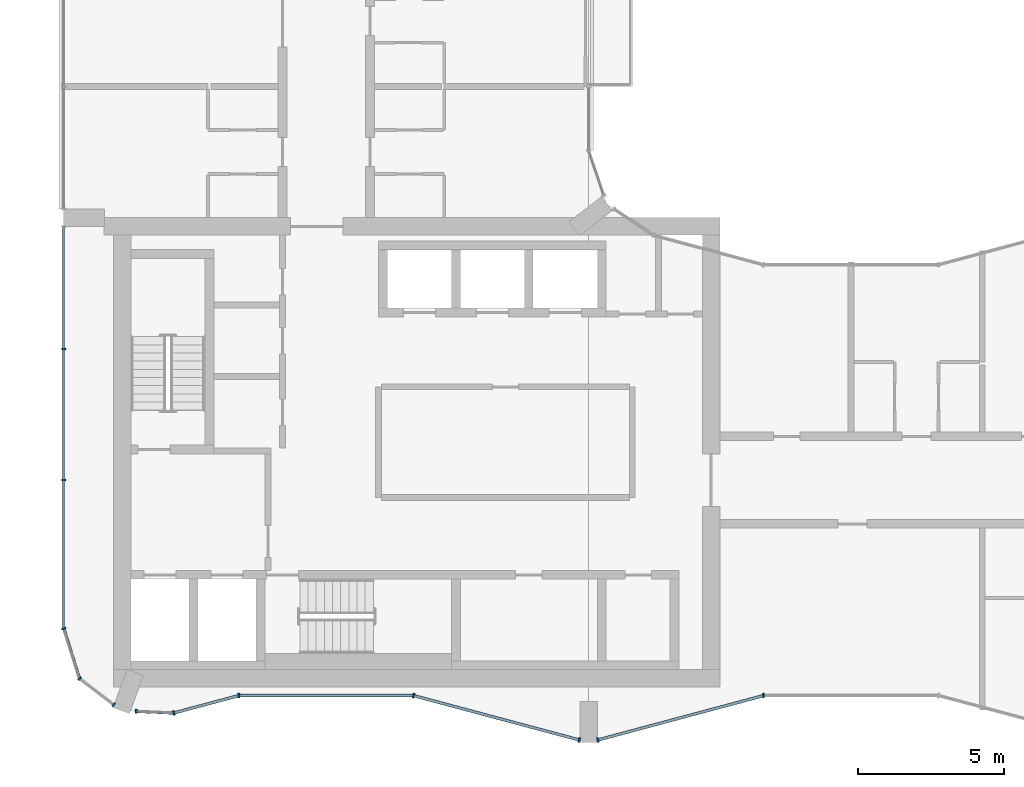
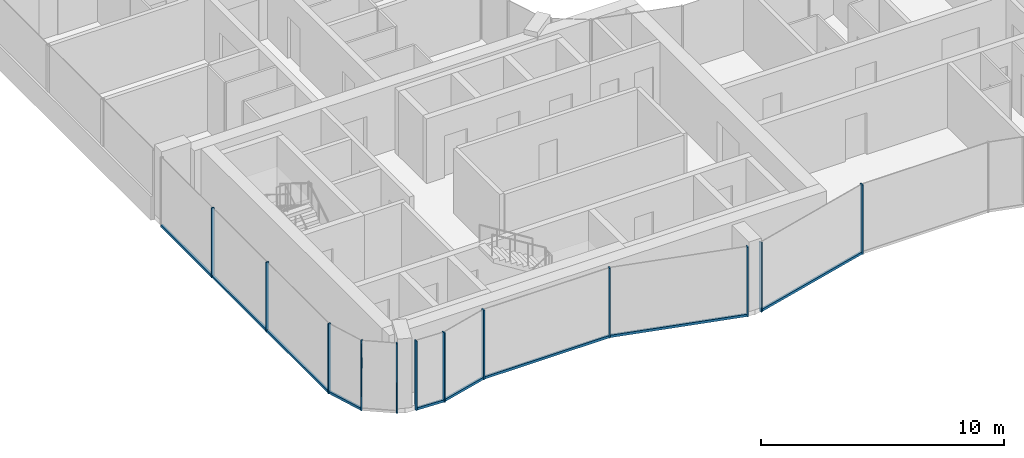
# One storey, part 2 of 15: 19 members, 9 elements without a shape of their own.
"""IFC4 building model written with IfcOpenShell, lengths in metres."""

from ifc_helpers import new_model, si_unit, direction, frame, origin, origin_2d, place, context, subcontext, project, spatial, rectangle, extrude, material, layer, layer_set, material_profile, profile_set, type_object, element, aggregate, save


model = new_model("IFC4")

# Units and contexts
model_context = context("Model", 3, precision=1e-05, world=origin(), true_north=direction((0.0, 1.0)))
body_context = subcontext(model_context, "Body", "Model", "MODEL_VIEW")
ifc_project = project(units=[si_unit("LENGTHUNIT", "METRE"), si_unit("AREAUNIT", "SQUARE_METRE"), si_unit("VOLUMEUNIT", "CUBIC_METRE"), si_unit("PLANEANGLEUNIT", "RADIAN"), si_unit("MASSUNIT", "GRAM", prefix="KILO")], contexts=[model_context])

# Site, building, storey
site_placement = place(None, origin())
site = spatial("IfcSite", under=ifc_project, at=site_placement, CompositionType="ELEMENT")
building_placement = place(site_placement, origin())
building = spatial("IfcBuilding", under=site, at=building_placement, Name="Plateau Cross Towers", CompositionType="ELEMENT")
storey_placement = place(building_placement, frame((0.0, 0.0, 170.89990234375)))
storey = spatial("IfcBuildingStorey", under=building, at=storey_placement, Name="L44", CompositionType="ELEMENT", Elevation=170.89990234375)

# Curtain wall, members
ifc_material_1 = material(Name="Dark low-iron glass", Category="glass")
ifc_layer_1 = layer(ifc_material_1, 0.239990234375)
ifc_layer_set_1 = layer_set([ifc_layer_1], Name="Dark low-iron glass")
curtain_wall_type_1 = type_object("IfcCurtainWallType", Name="Curtain wall flush unitised CW-B", PredefinedType="NOTDEFINED", material=ifc_layer_set_1)
curtain_wall_1_placement = place(storey_placement, origin())
curtain_wall_1 = element("IfcCurtainWall", 1, at=curtain_wall_1_placement, inside=storey, type_object=curtain_wall_type_1, Name="ENV/A/L44/A0_177", PredefinedType="NOTDEFINED")
ifc_material_2 = material(Name="Black anodised aluminium", Category="aluminium")
ifc_material_profile_1 = material_profile(ifc_material_2, rectangle(XDim=0.06005859375, YDim=0.139892578125, at=origin_2d()), Name="MULLION 60x140")
ifc_profile_set_1 = profile_set([ifc_material_profile_1], Name="Black anodised aluminium")
member_type_1 = type_object("IfcMemberType", Name="Mullion 60x140 flush unitised", PredefinedType="MULLION", material=ifc_profile_set_1)
member_1_placement = place(storey_placement, frame((0.0, 13.5, -0.25), z_axis=(0.0, 0.0, 1.0), x_axis=(0.0, -1.0, 0.0)))
member_1 = element("IfcMember", 2, at=member_1_placement, type_object=member_type_1, Name="CW-B mullion 2", PredefinedType="MULLION", context=body_context, shape_type="SweptSolid", body=[
    extrude(rectangle(XDim=0.06005859375, YDim=0.139892578125, at=origin_2d()), origin(), (0.0, 0.0, 1.0), 3.5),
])
member_2_placement = place(storey_placement, frame((0.0, 9.0, -0.25), z_axis=(0.0, 0.0, 1.0), x_axis=(0.0, -1.0, 0.0)))
member_2 = element("IfcMember", 3, at=member_2_placement, type_object=member_type_1, Name="CW-B mullion 3", PredefinedType="MULLION", context=body_context, shape_type="SweptSolid", body=[
    extrude(rectangle(XDim=0.06005859375, YDim=0.139892578125, at=origin_2d()), origin(), (0.0, 0.0, 1.0), 3.5),
])

# Curtain wall, member
curtain_wall_2_placement = place(storey_placement, origin())
curtain_wall_2 = element("IfcCurtainWall", 4, at=curtain_wall_2_placement, inside=storey, type_object=curtain_wall_type_1, Name="ENV/A/L44/A0_39", PredefinedType="NOTDEFINED")
member_3_placement = place(storey_placement, frame((0.0, 3.9091796875, -0.25), z_axis=(0.0, 0.0, 1.0), x_axis=(0.300686174994, -0.95372313811, 0.0)))
member_3 = element("IfcMember", 5, at=member_3_placement, type_object=member_type_1, Name="CW-B mullion 1", PredefinedType="MULLION", context=body_context, shape_type="SweptSolid", body=[
    extrude(rectangle(XDim=0.06005859375, YDim=0.139892578125, at=origin_2d()), origin(), (0.0, 0.0, 1.0), 3.5),
])

# Curtain wall, members
curtain_wall_3_placement = place(storey_placement, origin())
curtain_wall_3 = element("IfcCurtainWall", 6, at=curtain_wall_3_placement, inside=storey, type_object=curtain_wall_type_1, Name="ENV/A/L44/A5_22", PredefinedType="NOTDEFINED")
member_4_placement = place(storey_placement, frame((0.54248046875, 2.1884765625, -0.25), z_axis=(0.0, 0.0, 1.0), x_axis=(0.793315514529, -0.608810721331, 0.0)))
member_4 = element("IfcMember", 7, at=member_4_placement, type_object=member_type_1, Name="CW-B mullion 1", PredefinedType="MULLION", context=body_context, shape_type="SweptSolid", body=[
    extrude(rectangle(XDim=0.06005859375, YDim=0.139892578125, at=origin_2d()), origin(), (0.0, 0.0, 1.0), 3.5),
])
member_5_placement = place(storey_placement, frame((1.709716796875, 1.292724609375, -0.25), z_axis=(0.0, 0.0, 1.0), x_axis=(0.793315514529, -0.608810721331, 0.0)))
member_5 = element("IfcMember", 8, at=member_5_placement, type_object=member_type_1, Name="CW-B mullion 2", PredefinedType="MULLION", context=body_context, shape_type="SweptSolid", body=[
    extrude(rectangle(XDim=0.06005859375, YDim=0.139892578125, at=origin_2d()), origin(), (0.0, 0.0, 1.0), 3.5),
])
aggregate(curtain_wall_3, [member_4, member_5])

# Curtain wall, member
curtain_wall_4_placement = place(storey_placement, origin())
curtain_wall_4 = element("IfcCurtainWall", 9, at=curtain_wall_4_placement, inside=storey, type_object=curtain_wall_type_1, Name="ENV/A/L44/A25_11", PredefinedType="NOTDEFINED")
member_6_placement = place(storey_placement, frame((2.483642578125, 1.06787109375, -0.25), z_axis=(0.0, 0.0, 1.0), x_axis=(0.999043701491, -0.043722791671, 0.0)))
member_6 = element("IfcMember", 10, at=member_6_placement, type_object=member_type_1, Name="CW-B mullion 1", PredefinedType="MULLION", context=body_context, shape_type="SweptSolid", body=[
    extrude(rectangle(XDim=0.06005859375, YDim=0.139892578125, at=origin_2d()), origin(), (0.0, 0.0, 1.0), 3.5),
])

ifc_layer_2 = layer(ifc_material_1, 0.260009765625)
ifc_layer_set_2 = layer_set([ifc_layer_2], Name="Dark low-iron glass")
curtain_wall_type_2 = type_object("IfcCurtainWallType", Name="Curtain wall fluted unitised CW-A", PredefinedType="NOTDEFINED", material=ifc_layer_set_2)
curtain_wall_5_placement = place(storey_placement, origin())
curtain_wall_5 = element("IfcCurtainWall", 11, at=curtain_wall_5_placement, inside=storey, type_object=curtain_wall_type_2, Name="ENV/A/L44/A38_10", PredefinedType="NOTDEFINED")
ifc_material_profile_2 = material_profile(ifc_material_2, rectangle(XDim=0.06005859375, YDim=0.159912109375, at=origin_2d()), Name="MULLION 60x160")
ifc_profile_set_2 = profile_set([ifc_material_profile_2], Name="Black anodised aluminium")
member_type_2 = type_object("IfcMemberType", Name="Mullion 60x160 fluted unitised", PredefinedType="MULLION", material=ifc_profile_set_2)
member_7_placement = place(storey_placement, frame((3.776123046875, 1.01123046875, -0.25), z_axis=(0.0, 0.0, 1.0), x_axis=(0.965957962328, 0.258699081978, 0.0)))
member_7 = element("IfcMember", 12, at=member_7_placement, type_object=member_type_2, Name="CW-A mullion 1", PredefinedType="MULLION", context=body_context, shape_type="SweptSolid", body=[
    extrude(rectangle(XDim=0.06005859375, YDim=0.159912109375, at=origin_2d()), origin(), (0.0, 0.0, 1.0), 3.5),
])

curtain_wall_6_placement = place(storey_placement, origin())
curtain_wall_6 = element("IfcCurtainWall", 13, at=curtain_wall_6_placement, inside=storey, type_object=curtain_wall_type_2, Name="ENV/A/L44/A60_16", PredefinedType="NOTDEFINED")
member_8_placement = place(storey_placement, frame((6.0, 1.60693359375, -0.25), z_axis=(0.0, 0.0, 1.0), x_axis=(1.0, 0.0, 0.0)))
member_8 = element("IfcMember", 14, at=member_8_placement, type_object=member_type_2, Name="CW-A mullion 1", PredefinedType="MULLION", context=body_context, shape_type="SweptSolid", body=[
    extrude(rectangle(XDim=0.06005859375, YDim=0.159912109375, at=origin_2d()), origin(), (0.0, 0.0, 1.0), 3.5),
])

# Curtain wall, members
curtain_wall_7_placement = place(storey_placement, origin())
curtain_wall_7 = element("IfcCurtainWall", 15, at=curtain_wall_7_placement, inside=storey, type_object=curtain_wall_type_2, Name="ENV/A/L44/A120_16", PredefinedType="NOTDEFINED")
member_9_placement = place(storey_placement, frame((12.0, 1.60693359375, -0.25), z_axis=(0.0, 0.0, 1.0), x_axis=(0.965957983404, -0.258699003279, 0.0)))
member_9 = element("IfcMember", 16, at=member_9_placement, type_object=member_type_2, Name="CW-A mullion 1", PredefinedType="MULLION", context=body_context, shape_type="SweptSolid", body=[
    extrude(rectangle(XDim=0.06005859375, YDim=0.159912109375, at=origin_2d()), origin(), (0.0, 0.0, 1.0), 3.5),
])
member_10_placement = place(storey_placement, frame((17.68212890625, 0.085205078125, -0.25), z_axis=(0.0, 0.0, 1.0), x_axis=(0.965957983404, -0.258699003279, 0.0)))
member_10 = element("IfcMember", 17, at=member_10_placement, type_object=member_type_2, Name="CW-A mullion 2", PredefinedType="MULLION", context=body_context, shape_type="SweptSolid", body=[
    extrude(rectangle(XDim=0.06005859375, YDim=0.159912109375, at=origin_2d()), origin(), (0.0, 0.0, 1.0), 3.5),
])

# Curtain wall, member
curtain_wall_8_placement = place(storey_placement, origin())
curtain_wall_8 = element("IfcCurtainWall", 18, at=curtain_wall_8_placement, inside=storey, type_object=curtain_wall_type_2, Name="ENV/A/L44/A183_1", PredefinedType="NOTDEFINED")
member_11_placement = place(storey_placement, frame((18.31787109375, 0.085205078125, -0.25), z_axis=(0.0, 0.0, 1.0), x_axis=(0.965957983404, 0.258699003279, 0.0)))
member_11 = element("IfcMember", 19, at=member_11_placement, type_object=member_type_2, Name="CW-A mullion 1", PredefinedType="MULLION", context=body_context, shape_type="SweptSolid", body=[
    extrude(rectangle(XDim=0.06005859375, YDim=0.159912109375, at=origin_2d()), origin(), (0.0, 0.0, 1.0), 3.5),
])

curtain_wall_9_placement = place(storey_placement, origin())
curtain_wall_9 = element("IfcCurtainWall", 20, at=curtain_wall_9_placement, inside=storey, type_object=curtain_wall_type_2, Name="ENV/A/L44/A240_16", PredefinedType="NOTDEFINED")
member_12_placement = place(storey_placement, frame((24.0, 1.60693359375, -0.25), z_axis=(0.0, 0.0, 1.0), x_axis=(1.0, 0.0, 0.0)))
member_12 = element("IfcMember", 21, at=member_12_placement, type_object=member_type_2, Name="CW-A mullion 1", PredefinedType="MULLION", context=body_context, shape_type="SweptSolid", body=[
    extrude(rectangle(XDim=0.06005859375, YDim=0.159912109375, at=origin_2d()), origin(), (0.0, 0.0, 1.0), 3.5),
])
aggregate(curtain_wall_9, [member_12])

# Member
ifc_material_profile_3 = material_profile(ifc_material_2, rectangle(XDim=0.10009765625, YDim=0.1201171875, at=origin_2d()), Name="TRANSOM 100x120")
ifc_profile_set_3 = profile_set([ifc_material_profile_3], Name="Black anodised aluminium")
member_type_3 = type_object("IfcMemberType", Name="Transom 100x120 flush unitised", PredefinedType="USERDEFINED", material=ifc_profile_set_3)
member_13_placement = place(storey_placement, frame((0.0, 17.699951171875, -0.18994140625), z_axis=(0.0, -1.0, 0.0), x_axis=(1.0, 0.0, 0.0)))
member_13 = element("IfcMember", 22, at=member_13_placement, type_object=member_type_3, Name="CW-B transom", ObjectType="TRANSOM", PredefinedType="USERDEFINED", context=body_context, shape_type="SweptSolid", body=[
    extrude(rectangle(XDim=0.10009765625, YDim=0.1201171875, at=origin_2d()), origin(), (0.0, 0.0, 1.0), 13.790771484375),
])

aggregate(curtain_wall_1, [member_1, member_2, member_13])

member_14_placement = place(storey_placement, frame((0.0, 3.9091796875, -0.18994140625), z_axis=(0.30067799945, -0.953725715626, 0.0), x_axis=(0.953725715626, 0.30067799945, 0.0)))
member_14 = element("IfcMember", 23, at=member_14_placement, type_object=member_type_3, Name="CW-B transom", ObjectType="TRANSOM", PredefinedType="USERDEFINED", context=body_context, shape_type="SweptSolid", body=[
    extrude(rectangle(XDim=0.10009765625, YDim=0.1201171875, at=origin_2d()), origin(), (0.0, 0.0, 1.0), 1.80419921875),
])

aggregate(curtain_wall_2, [member_3, member_14])

member_15_placement = place(storey_placement, frame((2.483642578125, 1.06787109375, -0.18994140625), z_axis=(0.999041144614, -0.043781175963, 0.0), x_axis=(0.043781175963, 0.999041144614, 0.0)))
member_15 = element("IfcMember", 24, at=member_15_placement, type_object=member_type_3, Name="CW-B transom", ObjectType="TRANSOM", PredefinedType="USERDEFINED", context=body_context, shape_type="SweptSolid", body=[
    extrude(rectangle(XDim=0.10009765625, YDim=0.1201171875, at=origin_2d()), origin(), (0.0, 0.0, 1.0), 1.293701171875),
])

aggregate(curtain_wall_4, [member_6, member_15])

ifc_material_profile_4 = material_profile(ifc_material_2, rectangle(XDim=0.10009765625, YDim=0.1201171875, at=origin_2d()), Name="TRANSOM 100x120")
ifc_profile_set_4 = profile_set([ifc_material_profile_4], Name="Black anodised aluminium")
member_type_4 = type_object("IfcMemberType", Name="Transom 100x120 fluted unitised", PredefinedType="USERDEFINED", material=ifc_profile_set_4)
member_16_placement = place(storey_placement, frame((3.776123046875, 1.01123046875, -0.18994140625), z_axis=(0.965945685136, 0.258744919501, 0.0), x_axis=(-0.258744919501, 0.965945685136, 0.0)))
member_16 = element("IfcMember", 25, at=member_16_placement, type_object=member_type_4, Name="CW-A transom", ObjectType="TRANSOM", PredefinedType="USERDEFINED", context=body_context, shape_type="SweptSolid", body=[
    extrude(rectangle(XDim=0.10009765625, YDim=0.1201171875, at=origin_2d()), origin(), (0.0, 0.0, 1.0), 2.30224609375),
])

aggregate(curtain_wall_5, [member_7, member_16])

member_17_placement = place(storey_placement, frame((6.0, 1.60693359375, -0.18994140625), z_axis=(1.0, 0.0, 0.0), x_axis=(0.0, 1.0, 0.0)))
member_17 = element("IfcMember", 26, at=member_17_placement, type_object=member_type_4, Name="CW-A transom", ObjectType="TRANSOM", PredefinedType="USERDEFINED", context=body_context, shape_type="SweptSolid", body=[
    extrude(rectangle(XDim=0.10009765625, YDim=0.1201171875, at=origin_2d()), origin(), (0.0, 0.0, 1.0), 6.0),
])

aggregate(curtain_wall_6, [member_8, member_17])

member_18_placement = place(storey_placement, frame((12.0, 1.60693359375, -0.18994140625), z_axis=(0.965959534794, -0.258693210465, 0.0), x_axis=(0.258693210465, 0.965959534794, 0.0)))
member_18 = element("IfcMember", 27, at=member_18_placement, type_object=member_type_4, Name="CW-A transom", ObjectType="TRANSOM", PredefinedType="USERDEFINED", context=body_context, shape_type="SweptSolid", body=[
    extrude(rectangle(XDim=0.10009765625, YDim=0.1201171875, at=origin_2d()), origin(), (0.0, 0.0, 1.0), 5.88232421875),
])

aggregate(curtain_wall_7, [member_9, member_10, member_18])

member_19_placement = place(storey_placement, frame((18.31787109375, 0.085205078125, -0.18994140625), z_axis=(0.965959534794, 0.258693210465, 0.0), x_axis=(-0.258693210465, 0.965959534794, 0.0)))
member_19 = element("IfcMember", 28, at=member_19_placement, type_object=member_type_4, Name="CW-A transom", ObjectType="TRANSOM", PredefinedType="USERDEFINED", context=body_context, shape_type="SweptSolid", body=[
    extrude(rectangle(XDim=0.10009765625, YDim=0.1201171875, at=origin_2d()), origin(), (0.0, 0.0, 1.0), 5.88232421875),
])

aggregate(curtain_wall_8, [member_11, member_19])

save(model, "model.ifc")
